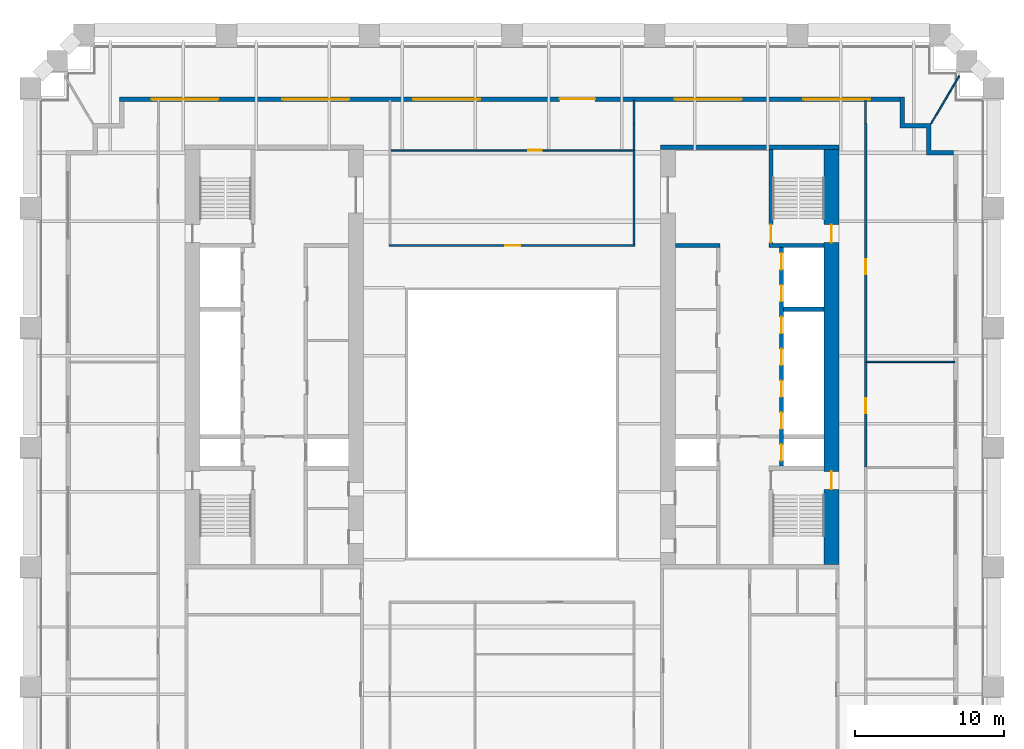
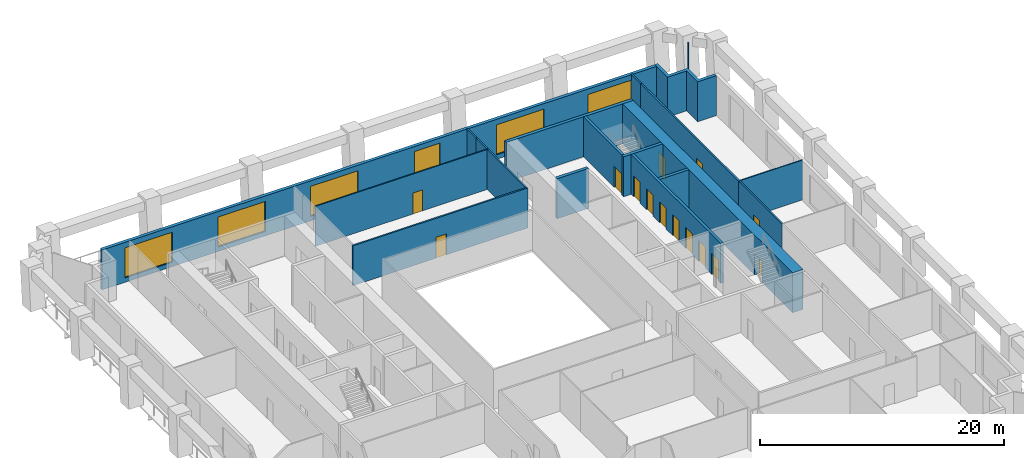
# One storey, part 7 of 10: 19 walls, 15 doors, 5 windows, 20 openings.
"""IFC4 building model written with IfcOpenShell, lengths in metres."""

import ifcopenshell
import ifcopenshell.guid

model = None  # the IFC model being written
_history = None  # IfcOwnerHistory: only IFC2X3 demands one
_inside = {}  # id of a spatial element -> (the spatial element, [elements in it])
_under = {}  # id of a project, library or spatial element -> (it, [spatial elements below it])
_declared = {}  # id of a project -> (the project, [libraries it declares])
_typed = {}  # id of a type object -> (the type object, [elements of that type])
_made_of = {}  # id of a material, layer set ... -> (it, [elements and type objects made of it])


def new_model(schema):
    """Start an empty IFC model of exactly this schema.

    Asked for "IFC4X3", IfcOpenShell would pick the latest addendum, in which some entities
    have other attributes; the version numbers below select the first issue.
    IFC2X3 requires an IfcOwnerHistory on every rooted entity: one is made here for all.
    """
    global model, _history
    if schema == "IFC4X3":
        model = ifcopenshell.file(schema_version=(4, 3, 0, 0))
    else:
        model = ifcopenshell.file(schema=schema)
    _inside.clear()
    _under.clear()
    _declared.clear()
    _typed.clear()
    _made_of.clear()
    _history = None
    if model.schema == "IFC2X3":
        org = make("IfcOrganization", Name="unknown")
        user = make(
            "IfcPersonAndOrganization",
            ThePerson=make("IfcPerson", FamilyName="unknown"),
            TheOrganization=org,
        )
        app = make(
            "IfcApplication",
            ApplicationDeveloper=org,
            Version="unknown",
            ApplicationFullName="unknown",
            ApplicationIdentifier="unknown",
        )
        _history = make(
            "IfcOwnerHistory",
            OwningUser=user,
            OwningApplication=app,
            ChangeAction="ADDED",
            CreationDate=0,
        )
    return model


def make(cls, **values):
    """One entity of the class cls with the attributes given. An attribute that is None is left unset."""
    return model.create_entity(
        cls, **{name: value for name, value in values.items() if value is not None}
    )


def rooted(cls, **values):
    """An entity with a GlobalId (a new one), such as an element, a storey or a relation."""
    return make(cls, GlobalId=ifcopenshell.guid.new(), OwnerHistory=_history, **values)


def si_unit(unit_type, name, prefix=None):
    """IfcSIUnit, for example si_unit("LENGTHUNIT", "METRE", prefix="MILLI")."""
    return make("IfcSIUnit", UnitType=unit_type, Prefix=prefix, Name=name)


def assignment(units):
    """IfcUnitAssignment: the units of a project."""
    return None if units is None else make("IfcUnitAssignment", Units=units)


def point(xyz):
    """IfcCartesianPoint."""
    return None if xyz is None else make("IfcCartesianPoint", Coordinates=xyz)


def direction(xyz):
    """IfcDirection."""
    return None if xyz is None else make("IfcDirection", DirectionRatios=xyz)


def frame(location, z_axis=None, x_axis=None):
    """IfcAxis2Placement3D, a coordinate frame: its origin and axes. An axis left out is left unset."""
    return make(
        "IfcAxis2Placement3D",
        Location=point(location),
        Axis=direction(z_axis),
        RefDirection=direction(x_axis),
    )


def frame_2d(location, x_axis=None):
    """IfcAxis2Placement2D, a coordinate frame in the plane: its origin and x axis."""
    return make(
        "IfcAxis2Placement2D", Location=point(location), RefDirection=direction(x_axis)
    )


def origin():
    """The frame at (0, 0, 0) with its axes left unset."""
    return frame((0.0, 0.0, 0.0))


def place(relative_to, where):
    """IfcLocalPlacement: puts the frame where relative to a parent placement (None: the world)."""
    return make(
        "IfcLocalPlacement", PlacementRelTo=relative_to, RelativePlacement=where
    )


def context(
    kind, dimensions, precision=None, world=None, true_north=None, identifier=None
):
    """IfcGeometricRepresentationContext, for example the 3D "Model" context."""
    return make(
        "IfcGeometricRepresentationContext",
        ContextIdentifier=identifier,
        ContextType=kind,
        CoordinateSpaceDimension=dimensions,
        Precision=precision,
        WorldCoordinateSystem=world,
        TrueNorth=true_north,
    )


def subcontext(parent, identifier, kind, view, scale=None):
    """IfcGeometricRepresentationSubContext, for example "Body" below "Model"."""
    return make(
        "IfcGeometricRepresentationSubContext",
        ContextIdentifier=identifier,
        ContextType=kind,
        ParentContext=parent,
        TargetScale=scale,
        TargetView=view,
    )


def project(units=None, contexts=None):
    """IfcProject with its units and contexts."""
    return rooted(
        "IfcProject",
        Name="project",
        RepresentationContexts=contexts,
        UnitsInContext=assignment(units),
    )


def spatial(cls, under=None, at=None, **own):
    """A site, building, storey or space (cls), placed at a placement, below another one or the project."""
    s = rooted(cls, ObjectPlacement=at, **own)
    if under is not None:
        _under.setdefault(under.id(), (under, []))[1].append(s)
    return s


def polyline(points):
    """IfcPolyline through the points."""
    return make("IfcPolyline", Points=[point(p) for p in points])


def profile(cls, at=None, kind="AREA", **sizes):
    """A parametric profile (cls). Its sizes go by their IFC names, for example OverallWidth=200.0."""
    return make(cls, ProfileType=kind, Position=at, **sizes)


def rectangle(**sizes):
    """IfcRectangleProfileDef."""
    return profile("IfcRectangleProfileDef", **sizes)


def outline(outer, holes=None, kind="AREA"):
    """IfcArbitraryClosedProfileDef: a profile drawn as a closed curve; with holes, ...WithVoids."""
    if holes is None:
        return make("IfcArbitraryClosedProfileDef", ProfileType=kind, OuterCurve=outer)
    return make(
        "IfcArbitraryProfileDefWithVoids",
        ProfileType=kind,
        OuterCurve=outer,
        InnerCurves=holes,
    )


def extrude(swept, where, along, depth):
    """IfcExtrudedAreaSolid: the profile swept, set in the frame where, extruded along a direction by depth."""
    return make(
        "IfcExtrudedAreaSolid",
        SweptArea=swept,
        Position=where,
        ExtrudedDirection=direction(along),
        Depth=depth,
    )


def shape(context_of_items, identifier, shape_type, items):
    """IfcShapeRepresentation: the items that make up one representation, for example the "Body"."""
    return make(
        "IfcShapeRepresentation",
        ContextOfItems=context_of_items,
        RepresentationIdentifier=identifier,
        RepresentationType=shape_type,
        Items=items,
    )


def material(Name=None, Category=None):
    """IfcMaterial."""
    return make("IfcMaterial", Name=Name, Category=Category)


def layer(
    of_material, thickness, ventilated=None, Name=None, Category=None, Priority=None
):
    """IfcMaterialLayer: one layer of a wall or slab, of a material (None: an air gap)."""
    return make(
        "IfcMaterialLayer",
        Material=of_material,
        LayerThickness=thickness,
        IsVentilated=ventilated,
        Name=Name,
        Category=Category,
        Priority=Priority,
    )


def layer_set(layers, Name=None):
    """IfcMaterialLayerSet."""
    return make("IfcMaterialLayerSet", MaterialLayers=layers, LayerSetName=Name)


def made_of(thing, what):
    """Note that an element or type object is made of a material, layer set ...; save() writes the relation."""
    if what is not None:
        _made_of.setdefault(what.id(), (what, []))[1].append(thing)
    return thing


def type_object(cls, material=None, **own):
    """A type object (cls), such as IfcWallType, which elements share."""
    return made_of(rooted(cls, **own), material)


def element(
    cls,
    number,
    at=None,
    inside=None,
    cuts=None,
    type_object=None,
    material=None,
    context=None,
    identifier="Body",
    shape_type=None,
    held_by="IfcProductDefinitionShape",
    body=None,
    shapes=None,
    **own,
):
    """One element of the class cls, such as IfcWall. Its Tag is "e" and its number.

    at: its placement. inside: the storey or other place that contains it. cuts: it is an
    opening in that element (IfcRelVoidsElement). A single representation is given by context,
    identifier, shape_type and body (its items); several are given by shapes. held_by: the class
    of the entity that holds the representations. save() writes the other relations.
    """
    e = rooted(cls, Tag="e%d" % number, ObjectPlacement=at, **own)
    if body is not None:
        shapes = [shape(context, identifier, shape_type, body)]
    if shapes is not None:
        e.Representation = make(held_by, Representations=shapes)
    if inside is not None:
        _inside.setdefault(inside.id(), (inside, []))[1].append(e)
    if cuts is not None:
        rooted(
            "IfcRelVoidsElement", RelatingBuildingElement=cuts, RelatedOpeningElement=e
        )
    if type_object is not None:
        _typed.setdefault(type_object.id(), (type_object, []))[1].append(e)
    return made_of(e, material)


def fill(opening, filler):
    """IfcRelFillsElement: the door or window that sits in an opening."""
    return rooted(
        "IfcRelFillsElement",
        RelatingOpeningElement=opening,
        RelatedBuildingElement=filler,
    )


def aggregate(whole, parts):
    """IfcRelAggregates: a whole, such as a stair, and the parts it consists of."""
    return rooted("IfcRelAggregates", RelatingObject=whole, RelatedObjects=parts)


def save(model, path):
    """Write the relations noted so far, then the file.

    IfcRelAggregates (storeys below a building ...), IfcRelContainedInSpatialStructure (elements
    in a storey), IfcRelDefinesByType, IfcRelAssociatesMaterial and IfcRelDeclares: one each for
    every whole, place, type object, material and project.
    """
    for whole, parts in _under.values():
        aggregate(whole, parts)
    for where, things in _inside.values():
        rooted(
            "IfcRelContainedInSpatialStructure",
            RelatedElements=things,
            RelatingStructure=where,
        )
    for kind, things in _typed.values():
        rooted("IfcRelDefinesByType", RelatedObjects=things, RelatingType=kind)
    for what, things in _made_of.values():
        rooted("IfcRelAssociatesMaterial", RelatedObjects=things, RelatingMaterial=what)
    for by, libraries in _declared.values():
        rooted("IfcRelDeclares", RelatingContext=by, RelatedDefinitions=libraries)
    model.write(path)


model = new_model("IFC4")

# Units and contexts
model_context = context("Model", 3, precision=1e-05, world=origin(), true_north=direction((0.0, 1.0)))
body_context = subcontext(model_context, "Body", "Model", "MODEL_VIEW")
ifc_project = project(units=[si_unit("LENGTHUNIT", "METRE"), si_unit("AREAUNIT", "SQUARE_METRE"), si_unit("VOLUMEUNIT", "CUBIC_METRE"), si_unit("PLANEANGLEUNIT", "RADIAN"), si_unit("MASSUNIT", "GRAM", prefix="KILO")], contexts=[model_context])

# Site, building, storey
site_placement = place(None, origin())
site = spatial("IfcSite", under=ifc_project, at=site_placement, CompositionType="ELEMENT")
building_placement = place(site_placement, origin())
building = spatial("IfcBuilding", under=site, at=building_placement, Name="Ogive Exchange Tower", CompositionType="ELEMENT")
storey_placement = place(building_placement, frame((0.0, 0.0, 52.199951171875)))
storey = spatial("IfcBuildingStorey", under=building, at=storey_placement, Name="L10", CompositionType="ELEMENT", Elevation=52.199951171875)

# Wall
ifc_material_1 = material(Name="Gypsum board partition")
ifc_layer_1 = layer(ifc_material_1, 0.300048828125)
ifc_layer_set_1 = layer_set([ifc_layer_1], Name="Core room partition 300 gypsum")
wall_type_1 = type_object("IfcWallType", Name="Core room partition 300 gypsum", PredefinedType="PARTITIONING", material=ifc_layer_set_1)
wall_1_placement = place(storey_placement, frame((11.0, 19.0, 0.0), z_axis=(0.0, 0.0, 1.0), x_axis=(1.0, 0.0, 0.0)))
element("IfcWall", 1, at=wall_1_placement, inside=storey, type_object=wall_type_1, Name="E row B room end wall 7", PredefinedType="PARTITIONING", context=body_context, shape_type="SweptSolid", body=[
    extrude(rectangle(XDim=3.0, YDim=0.300048828125, at=frame_2d((1.5, 0.0))), origin(), (0.0, 0.0, 1.0), 4.0),
])

# Wall, opening, door
ifc_material_2 = material(Name="Fire partition EI 60 150")
ifc_layer_2 = layer(ifc_material_2, 0.14990234375)
ifc_layer_set_2 = layer_set([ifc_layer_2], Name="Fire partition EI 60 150")
wall_type_2 = type_object("IfcWallType", Name="Fire partition EI 60 150", PredefinedType="PARTITIONING", material=ifc_layer_set_2)
wall_2_placement = place(storey_placement, frame((-8.27490234375, 19.0, 0.0), z_axis=(0.0, 0.0, 1.0), x_axis=(1.0, 0.0, 0.0)))
wall_2 = element("IfcWall", 2, at=wall_2_placement, inside=storey, type_object=wall_type_2, Name="L10-PWL-022", PredefinedType="PARTITIONING", context=body_context, shape_type="SweptSolid", body=[
    extrude(rectangle(XDim=16.5498046875, YDim=0.14990234375, at=frame_2d((8.27490234375, 0.0))), origin(), (0.0, 0.0, 1.0), 4.0),
])
opening_1_placement = place(wall_2_placement, frame((7.824951171875, 0.0, 0.0)))
opening_1 = element("IfcOpeningElement", 3, at=opening_1_placement, cuts=wall_2, Name="Opening L10-I01", PredefinedType="OPENING", context=body_context, shape_type="SweptSolid", body=[
    extrude(rectangle(XDim=1.0, YDim=2.10009765625, at=frame_2d((0.5, 1.050048828125))), frame((0.0, 0.0849609375, 0.0), z_axis=(0.0, -1.0, 0.0), x_axis=(1.0, 0.0, 0.0)), (0.0, 0.0, 1.0), 0.169921875),
])
ifc_material_3 = material(Name="Fire door FD 30S 1000 x 2100")
door_type_1 = type_object("IfcDoorType", Name="Fire door FD 30S 1000 x 2100", OperationType="NOTDEFINED", PredefinedType="DOOR", material=ifc_material_3)
door_1_placement = place(opening_1_placement, origin())
door_1 = element("IfcDoor", 4, at=door_1_placement, inside=storey, type_object=door_type_1, Name="L10-IDR-001", ObjectType="DT3", OperationType="SINGLE_SWING_RIGHT", OverallHeight=2.10009765625, OverallWidth=1.0, PredefinedType="DOOR", context=body_context, shape_type="SweptSolid", body=[
    extrude(rectangle(XDim=1.0, YDim=2.10009765625, at=frame_2d((0.5, 1.050048828125))), frame((0.0, 0.02490234375, 0.0), z_axis=(0.0, -1.0, 0.0), x_axis=(1.0, 0.0, 0.0)), (0.0, 0.0, 1.0), 0.050048828125),
])
fill(opening_1, door_1)

# Walls
wall_3_placement = place(storey_placement, frame((8.199951171875, 19.074951171875, 0.0), z_axis=(0.0, 0.0, 1.0), x_axis=(0.0, 1.0, 0.0)))
element("IfcWall", 5, at=wall_3_placement, inside=storey, type_object=wall_type_2, Name="L10-PWL-038", PredefinedType="PARTITIONING", context=body_context, shape_type="SweptSolid", body=[
    extrude(rectangle(XDim=6.275146484375, YDim=0.14990234375, at=frame_2d((3.1376953125, 0.0))), origin(), (0.0, 0.0, 1.0), 4.0),
])
wall_4_placement = place(storey_placement, frame((8.199951171875, 25.449951171875, 0.0), z_axis=(0.0, 0.0, 1.0), x_axis=(0.0, 1.0, 0.0)))
element("IfcWall", 6, at=wall_4_placement, inside=storey, type_object=wall_type_2, Name="L10-PWL-039", PredefinedType="PARTITIONING", context=body_context, shape_type="SweptSolid", body=[
    extrude(rectangle(XDim=1.75, YDim=0.14990234375, at=frame_2d((0.875, 0.0))), origin(), (0.0, 0.0, 1.0), 4.0),
])
for number, where, z_axis, x_axis, name in (
    (7, (8.2099609375, 27.199951171875, 0.0), (0.0, 0.0, 1.0), (0.0, 1.0, 0.0), "L10-PWL-040"),
    (8, (23.7900390625, 28.800048828125, 0.0), (0.0, 0.0, 1.0), (0.0, -1.0, 0.0), "L10-PWL-045"),
):
    element("IfcWall", number, at=place(storey_placement, frame(where, z_axis=z_axis, x_axis=x_axis)), inside=storey, type_object=wall_type_2, Name=name, PredefinedType="PARTITIONING", context=body_context, shape_type="SweptSolid", body=[
        extrude(rectangle(XDim=1.60009765625, YDim=0.14990234375, at=frame_2d((0.800048828125, 0.0))), origin(), (0.0, 0.0, 1.0), 4.0),
    ])

# Wall, opening, door
wall_5_placement = place(storey_placement, frame((23.800048828125, 11.1201171875, 0.0), z_axis=(0.0, 0.0, 1.0), x_axis=(0.0, -1.0, 0.0)))
wall_5 = element("IfcWall", 9, at=wall_5_placement, inside=storey, type_object=wall_type_2, Name="L10-PWL-050", PredefinedType="PARTITIONING", context=body_context, shape_type="SweptSolid", body=[
    extrude(rectangle(XDim=7.010009765625, YDim=0.14990234375, at=frame_2d((3.5048828125, 0.0))), origin(), (0.0, 0.0, 1.0), 4.0),
])
opening_2_placement = place(wall_5_placement, frame((2.409912109375, 0.0, 0.0)))
opening_2 = element("IfcOpeningElement", 10, at=opening_2_placement, cuts=wall_5, Name="Opening L10-I05", PredefinedType="OPENING", context=body_context, shape_type="SweptSolid", body=[
    extrude(rectangle(XDim=1.0, YDim=2.10009765625, at=frame_2d((0.5, 1.050048828125))), frame((0.0, 0.0849609375, 0.0), z_axis=(0.0, -1.0, 0.0), x_axis=(1.0, 0.0, 0.0)), (0.0, 0.0, 1.0), 0.169921875),
])
door_2_placement = place(opening_2_placement, origin())
door_2 = element("IfcDoor", 11, at=door_2_placement, inside=storey, type_object=door_type_1, Name="L10-IDR-005", ObjectType="DT3", OperationType="SINGLE_SWING_RIGHT", OverallHeight=2.10009765625, OverallWidth=1.0, PredefinedType="DOOR", context=body_context, shape_type="SweptSolid", body=[
    extrude(rectangle(XDim=1.0, YDim=2.10009765625, at=frame_2d((0.5, 1.050048828125))), frame((0.0, 0.02490234375, 0.0), z_axis=(0.0, -1.0, 0.0), x_axis=(1.0, 0.0, 0.0)), (0.0, 0.0, 1.0), 0.050048828125),
])
fill(opening_2, door_2)

wall_6_placement = place(storey_placement, frame((23.800048828125, 27.199951171875, 0.0), z_axis=(0.0, 0.0, 1.0), x_axis=(0.0, -1.0, 0.0)))
wall_6 = element("IfcWall", 12, at=wall_6_placement, inside=storey, type_object=wall_type_2, Name="L10-PWL-051", PredefinedType="PARTITIONING", context=body_context, shape_type="SweptSolid", body=[
    extrude(rectangle(XDim=16.079833984375, YDim=0.14990234375, at=frame_2d((8.0400390625, 0.0))), origin(), (0.0, 0.0, 1.0), 4.0),
])
opening_3_placement = place(wall_6_placement, frame((9.1298828125, 0.0, 0.0)))
opening_3 = element("IfcOpeningElement", 13, at=opening_3_placement, cuts=wall_6, Name="Opening L10-I02", PredefinedType="OPENING", context=body_context, shape_type="SweptSolid", body=[
    extrude(rectangle(XDim=1.0, YDim=2.10009765625, at=frame_2d((0.5, 1.050048828125))), frame((0.0, 0.0849609375, 0.0), z_axis=(0.0, -1.0, 0.0), x_axis=(1.0, 0.0, 0.0)), (0.0, 0.0, 1.0), 0.169921875),
])
door_3_placement = place(opening_3_placement, origin())
door_3 = element("IfcDoor", 14, at=door_3_placement, inside=storey, type_object=door_type_1, Name="L10-IDR-002", ObjectType="DT3", OperationType="SINGLE_SWING_RIGHT", OverallHeight=2.10009765625, OverallWidth=1.0, PredefinedType="DOOR", context=body_context, shape_type="SweptSolid", body=[
    extrude(rectangle(XDim=1.0, YDim=2.10009765625, at=frame_2d((0.5, 1.050048828125))), frame((0.0, 0.02490234375, 0.0), z_axis=(0.0, -1.0, 0.0), x_axis=(1.0, 0.0, 0.0)), (0.0, 0.0, 1.0), 0.050048828125),
])
fill(opening_3, door_3)

# Wall, openings, door, windows
ifc_material_4 = material(Name="Precast concrete C40/50", Category="concrete")
ifc_layer_3 = layer(ifc_material_4, 0.300048828125)
ifc_layer_set_3 = layer_set([ifc_layer_3], Name="Limestone-faced wall 300")
wall_type_3 = type_object("IfcWallType", Name="Limestone-faced wall 300", PredefinedType="STANDARD", material=ifc_layer_set_3)
wall_7_placement = place(storey_placement, frame((26.10009765625, 28.85009765625, 0.0), z_axis=(0.0, 0.0, 1.0), x_axis=(-1.0, 0.0, 0.0)))
wall_7 = element("IfcWall", 15, at=wall_7_placement, inside=storey, type_object=wall_type_3, Name="External wall N3", PredefinedType="STANDARD", context=body_context, shape_type="SweptSolid", body=[
    extrude(rectangle(XDim=52.5, YDim=0.300048828125, at=frame_2d((26.25, 0.0))), origin(), (0.0, 0.0, 1.0), 4.0),
])
opening_4_placement = place(wall_7_placement, frame((2.0, 0.0, 0.449951171875)))
opening_4 = element("IfcOpeningElement", 16, at=opening_4_placement, cuts=wall_7, Name="Opening W1A", PredefinedType="OPENING", context=body_context, shape_type="SweptSolid", body=[
    extrude(rectangle(XDim=4.5, YDim=3.0, at=frame_2d((2.25, 1.5))), frame((0.0, 0.159912109375, 0.0), z_axis=(0.0, -1.0, 0.0), x_axis=(1.0, 0.0, 0.0)), (0.0, 0.0, 1.0), 0.320068359375),
])
opening_5_placement = place(wall_7_placement, frame((10.64990234375, 0.0, 0.449951171875)))
opening_5 = element("IfcOpeningElement", 17, at=opening_5_placement, cuts=wall_7, Name="Opening W1A", PredefinedType="OPENING", context=body_context, shape_type="SweptSolid", body=[
    extrude(rectangle(XDim=4.5, YDim=3.0, at=frame_2d((2.25, 1.5))), frame((0.0, 0.159912109375, 0.0), z_axis=(0.0, -1.0, 0.0), x_axis=(1.0, 0.0, 0.0)), (0.0, 0.0, 1.0), 0.320068359375),
])
opening_6_placement = place(wall_7_placement, frame((20.5, 0.0, 0.0)))
opening_6 = element("IfcOpeningElement", 18, at=opening_6_placement, cuts=wall_7, Name="Opening D1", PredefinedType="OPENING", context=body_context, shape_type="SweptSolid", body=[
    extrude(rectangle(XDim=2.39990234375, YDim=3.5, at=frame_2d((1.199951171875, 1.75))), frame((0.0, 0.159912109375, 0.0), z_axis=(0.0, -1.0, 0.0), x_axis=(1.0, 0.0, 0.0)), (0.0, 0.0, 1.0), 0.320068359375),
])
opening_7_placement = place(wall_7_placement, frame((28.25, 0.0, 0.449951171875)))
opening_7 = element("IfcOpeningElement", 19, at=opening_7_placement, cuts=wall_7, Name="Opening W1A", PredefinedType="OPENING", context=body_context, shape_type="SweptSolid", body=[
    extrude(rectangle(XDim=4.5, YDim=3.0, at=frame_2d((2.25, 1.5))), frame((0.0, 0.159912109375, 0.0), z_axis=(0.0, -1.0, 0.0), x_axis=(1.0, 0.0, 0.0)), (0.0, 0.0, 1.0), 0.320068359375),
])
opening_8_placement = place(wall_7_placement, frame((37.050048828125, 0.0, 0.449951171875)))
opening_8 = element("IfcOpeningElement", 20, at=opening_8_placement, cuts=wall_7, Name="Opening W1A", PredefinedType="OPENING", context=body_context, shape_type="SweptSolid", body=[
    extrude(rectangle(XDim=4.5, YDim=3.0, at=frame_2d((2.25, 1.5))), frame((0.0, 0.159912109375, 0.0), z_axis=(0.0, -1.0, 0.0), x_axis=(1.0, 0.0, 0.0)), (0.0, 0.0, 1.0), 0.320068359375),
])
opening_9_placement = place(wall_7_placement, frame((45.85009765625, 0.0, 0.449951171875)))
opening_9 = element("IfcOpeningElement", 21, at=opening_9_placement, cuts=wall_7, Name="Opening W1A", PredefinedType="OPENING", context=body_context, shape_type="SweptSolid", body=[
    extrude(rectangle(XDim=4.5, YDim=3.0, at=frame_2d((2.25, 1.5))), frame((0.0, 0.159912109375, 0.0), z_axis=(0.0, -1.0, 0.0), x_axis=(1.0, 0.0, 0.0)), (0.0, 0.0, 1.0), 0.320068359375),
])
ifc_material_5 = material(Name="Clear glass in bronze frame", Category="glass")
door_type_2 = type_object("IfcDoorType", Name="Sliding loggia door 2400 x 3500", OperationType="DOUBLE_DOOR_SLIDING", PredefinedType="DOOR", material=ifc_material_5)
door_4_placement = place(opening_6_placement, origin())
door_4 = element("IfcDoor", 22, at=door_4_placement, inside=storey, type_object=door_type_2, Name="Loggia door N02", OperationType="DOUBLE_DOOR_SLIDING", OverallHeight=3.5, OverallWidth=2.39990234375, PredefinedType="DOOR", context=body_context, shape_type="SweptSolid", body=[
    extrude(rectangle(XDim=2.39990234375, YDim=3.5, at=frame_2d((1.199951171875, 1.75))), frame((0.0, 0.02490234375, 0.0), z_axis=(0.0, -1.0, 0.0), x_axis=(1.0, 0.0, 0.0)), (0.0, 0.0, 1.0), 0.050048828125),
])
fill(opening_6, door_4)
window_type = type_object("IfcWindowType", Name="Twin lancet window 4500 x 3000", PartitioningType="DOUBLE_PANEL_VERTICAL", PredefinedType="WINDOW", material=ifc_material_5)
window_1_placement = place(opening_4_placement, origin())
window_1 = element("IfcWindow", 23, at=window_1_placement, inside=storey, type_object=window_type, Name="Window N00", OverallHeight=3.0, OverallWidth=4.5, PartitioningType="DOUBLE_PANEL_VERTICAL", PredefinedType="WINDOW", context=body_context, shape_type="SweptSolid", body=[
    extrude(rectangle(XDim=4.5, YDim=3.0, at=frame_2d((2.25, 1.5))), frame((0.0, 0.030029296875, 0.0), z_axis=(0.0, -1.0, 0.0), x_axis=(1.0, 0.0, 0.0)), (0.0, 0.0, 1.0), 0.06005859375),
])
fill(opening_4, window_1)
window_2_placement = place(opening_5_placement, origin())
window_2 = element("IfcWindow", 24, at=window_2_placement, inside=storey, type_object=window_type, Name="Window N01", OverallHeight=3.0, OverallWidth=4.5, PartitioningType="DOUBLE_PANEL_VERTICAL", PredefinedType="WINDOW", context=body_context, shape_type="SweptSolid", body=[
    extrude(rectangle(XDim=4.5, YDim=3.0, at=frame_2d((2.25, 1.5))), frame((0.0, 0.030029296875, 0.0), z_axis=(0.0, -1.0, 0.0), x_axis=(1.0, 0.0, 0.0)), (0.0, 0.0, 1.0), 0.06005859375),
])
fill(opening_5, window_2)
window_3_placement = place(opening_7_placement, origin())
window_3 = element("IfcWindow", 25, at=window_3_placement, inside=storey, type_object=window_type, Name="Window N03", OverallHeight=3.0, OverallWidth=4.5, PartitioningType="DOUBLE_PANEL_VERTICAL", PredefinedType="WINDOW", context=body_context, shape_type="SweptSolid", body=[
    extrude(rectangle(XDim=4.5, YDim=3.0, at=frame_2d((2.25, 1.5))), frame((0.0, 0.030029296875, 0.0), z_axis=(0.0, -1.0, 0.0), x_axis=(1.0, 0.0, 0.0)), (0.0, 0.0, 1.0), 0.06005859375),
])
fill(opening_7, window_3)
window_4_placement = place(opening_8_placement, origin())
window_4 = element("IfcWindow", 26, at=window_4_placement, inside=storey, type_object=window_type, Name="Window N04", OverallHeight=3.0, OverallWidth=4.5, PartitioningType="DOUBLE_PANEL_VERTICAL", PredefinedType="WINDOW", context=body_context, shape_type="SweptSolid", body=[
    extrude(rectangle(XDim=4.5, YDim=3.0, at=frame_2d((2.25, 1.5))), frame((0.0, 0.030029296875, 0.0), z_axis=(0.0, -1.0, 0.0), x_axis=(1.0, 0.0, 0.0)), (0.0, 0.0, 1.0), 0.06005859375),
])
fill(opening_8, window_4)
window_5_placement = place(opening_9_placement, origin())
window_5 = element("IfcWindow", 27, at=window_5_placement, inside=storey, type_object=window_type, Name="Window N05", OverallHeight=3.0, OverallWidth=4.5, PartitioningType="DOUBLE_PANEL_VERTICAL", PredefinedType="WINDOW", context=body_context, shape_type="SweptSolid", body=[
    extrude(rectangle(XDim=4.5, YDim=3.0, at=frame_2d((2.25, 1.5))), frame((0.0, 0.030029296875, 0.0), z_axis=(0.0, -1.0, 0.0), x_axis=(1.0, 0.0, 0.0)), (0.0, 0.0, 1.0), 0.06005859375),
])
fill(opening_9, window_5)

# Walls
wall_8_placement = place(storey_placement, origin())
element("IfcWall", 28, at=wall_8_placement, inside=storey, type_object=wall_type_3, Name="External corner wall C2", PredefinedType="STANDARD", context=body_context, shape_type="SweptSolid", body=[
    extrude(outline(polyline([(27.89990234375, 26.89990234375), (26.10009765625, 26.89990234375), (26.10009765625, 29.0), (26.39990234375, 29.0), (26.39990234375, 27.199951171875), (28.199951171875, 27.199951171875), (28.199951171875, 25.39990234375), (29.699951171875, 25.39990234375), (29.699951171875, 25.10009765625), (27.89990234375, 25.10009765625), (27.89990234375, 26.89990234375)])), origin(), (0.0, 0.0, 1.0), 4.0),
])
ifc_material_6 = material(Name="Laminated safety glass in steel frame", Category="steel")
ifc_layer_4 = layer(ifc_material_6, 0.10009765625)
ifc_layer_set_4 = layer_set([ifc_layer_4], Name="Loggia end screen 100")
wall_type_4 = type_object("IfcWallType", Name="Loggia end screen 100", PredefinedType="STANDARD", material=ifc_layer_set_4)
wall_9_placement = place(storey_placement, frame((28.199951171875, 27.199951171875, -0.050048828125), z_axis=(0.0, 0.0, 1.0), x_axis=(0.50603666658, 0.862511966338, 0.0)))
element("IfcWall", 29, at=wall_9_placement, inside=storey, type_object=wall_type_4, Name="Loggia end screen C2", PredefinedType="STANDARD", context=body_context, shape_type="SweptSolid", body=[
    extrude(rectangle(XDim=3.733154296875, YDim=0.10009765625, at=frame_2d((1.86669921875, 0.0))), origin(), (0.0, 0.0, 1.0), 4.050048828125),
])

# Wall, opening, door
ifc_material_7 = material(Name="Partition 100 gypsum")
ifc_layer_5 = layer(ifc_material_7, 0.10009765625)
ifc_layer_set_5 = layer_set([ifc_layer_5], Name="Partition 100 gypsum")
wall_type_5 = type_object("IfcWallType", Name="Partition 100 gypsum", PredefinedType="PARTITIONING", material=ifc_layer_set_5)
wall_10_placement = place(storey_placement, frame((-8.125, 25.39990234375, 0.0), z_axis=(0.0, 0.0, 1.0), x_axis=(1.0, 0.0, 0.0)))
wall_10 = element("IfcWall", 30, at=wall_10_placement, inside=storey, type_object=wall_type_5, Name="L10-PWL-024", PredefinedType="PARTITIONING", context=body_context, shape_type="SweptSolid", body=[
    extrude(rectangle(XDim=16.39990234375, YDim=0.10009765625, at=frame_2d((8.199951171875, 0.0))), origin(), (0.0, 0.0, 1.0), 4.0),
])
opening_10_placement = place(wall_10_placement, frame((9.22509765625, 0.0, 0.0)))
opening_10 = element("IfcOpeningElement", 31, at=opening_10_placement, cuts=wall_10, Name="Opening L10-I03", PredefinedType="OPENING", context=body_context, shape_type="SweptSolid", body=[
    extrude(rectangle(XDim=0.89990234375, YDim=2.10009765625, at=frame_2d((0.449951171875, 1.050048828125))), frame((0.0, 0.06005859375, 0.0), z_axis=(0.0, -1.0, 0.0), x_axis=(1.0, 0.0, 0.0)), (0.0, 0.0, 1.0), 0.1201171875),
])
ifc_material_8 = material(Name="Door 900 x 2100")
door_type_3 = type_object("IfcDoorType", Name="Door 900 x 2100", OperationType="NOTDEFINED", PredefinedType="DOOR", material=ifc_material_8)
door_5_placement = place(opening_10_placement, origin())
door_5 = element("IfcDoor", 32, at=door_5_placement, inside=storey, type_object=door_type_3, Name="L10-IDR-003", ObjectType="DT1", OperationType="SINGLE_SWING_RIGHT", OverallHeight=2.10009765625, OverallWidth=0.89990234375, PredefinedType="DOOR", context=body_context, shape_type="SweptSolid", body=[
    extrude(rectangle(XDim=0.89990234375, YDim=2.10009765625, at=frame_2d((0.449951171875, 1.050048828125))), frame((0.0, 0.02490234375, 0.0), z_axis=(0.0, -1.0, 0.0), x_axis=(1.0, 0.0, 0.0)), (0.0, 0.0, 1.0), 0.050048828125),
])
fill(opening_10, door_5)

# Wall
wall_11_placement = place(storey_placement, frame((29.800048828125, 11.169921875, 0.0), z_axis=(0.0, 0.0, 1.0), x_axis=(-1.0, 0.0, 0.0)))
element("IfcWall", 33, at=wall_11_placement, inside=storey, type_object=wall_type_5, Name="L10-PWL-058", PredefinedType="PARTITIONING", context=body_context, shape_type="SweptSolid", body=[
    extrude(rectangle(XDim=5.925048828125, YDim=0.10009765625, at=frame_2d((2.96240234375, 0.0))), origin(), (0.0, 0.0, 1.0), 4.0),
])

# Wall, openings, doors
ifc_material_9 = material(Name="Concrete C70/85", Category="concrete")
ifc_layer_6 = layer(ifc_material_9, 1.0)
ifc_layer_set_6 = layer_set([ifc_layer_6], Name="RC core wall 1000 C70/85")
wall_type_6 = type_object("IfcWallType", Name="RC core wall 1000 C70/85", PredefinedType="SHEAR", material=ifc_layer_set_6)
wall_12_placement = place(storey_placement, frame((21.5, -2.449951171875, 0.0), z_axis=(0.0, 0.0, 1.0), x_axis=(0.0, 1.0, 0.0)))
wall_12 = element("IfcWall", 34, at=wall_12_placement, inside=storey, type_object=wall_type_6, Name="E outer wall", PredefinedType="SHEAR", context=body_context, shape_type="SweptSolid", body=[
    extrude(rectangle(XDim=27.89990234375, YDim=1.0, at=frame_2d((13.949951171875, 0.0))), origin(), (0.0, 0.0, 1.0), 4.0),
])
opening_11_placement = place(wall_12_placement, frame((5.050048828125, 0.0, 0.0)))
opening_11 = element("IfcOpeningElement", 35, at=opening_11_placement, cuts=wall_12, Name="Opening L10-C36", PredefinedType="OPENING", context=body_context, shape_type="SweptSolid", body=[
    extrude(rectangle(XDim=1.199951171875, YDim=2.10009765625, at=frame_2d((0.60009765625, 1.050048828125))), frame((0.0, 0.510009765625, 0.0), z_axis=(0.0, -1.0, 0.0), x_axis=(1.0, 0.0, 0.0)), (0.0, 0.0, 1.0), 1.02001953125),
])
opening_12_placement = place(wall_12_placement, frame((21.64990234375, 0.0, 0.0)))
opening_12 = element("IfcOpeningElement", 36, at=opening_12_placement, cuts=wall_12, Name="Opening L10-C38", PredefinedType="OPENING", context=body_context, shape_type="SweptSolid", body=[
    extrude(rectangle(XDim=1.199951171875, YDim=2.10009765625, at=frame_2d((0.60009765625, 1.050048828125))), frame((0.0, 0.510009765625, 0.0), z_axis=(0.0, -1.0, 0.0), x_axis=(1.0, 0.0, 0.0)), (0.0, 0.0, 1.0), 1.02001953125),
])
ifc_material_10 = material(Name="Steel fire door", Category="steel")
door_type_4 = type_object("IfcDoorType", Name="Stair door FD90 1200 x 2100", OperationType="NOTDEFINED", PredefinedType="DOOR", material=ifc_material_10)
door_6_placement = place(opening_11_placement, origin())
door_6 = element("IfcDoor", 37, at=door_6_placement, inside=storey, type_object=door_type_4, Name="Stair door", ObjectType="CD5", OperationType="SINGLE_SWING_LEFT", OverallHeight=2.10009765625, OverallWidth=1.199951171875, PredefinedType="DOOR", context=body_context, shape_type="SweptSolid", body=[
    extrude(rectangle(XDim=1.199951171875, YDim=2.10009765625, at=frame_2d((0.60009765625, 1.050048828125))), frame((0.0, 0.02490234375, 0.0), z_axis=(0.0, -1.0, 0.0), x_axis=(1.0, 0.0, 0.0)), (0.0, 0.0, 1.0), 0.050048828125),
])
fill(opening_11, door_6)
door_7_placement = place(opening_12_placement, origin())
door_7 = element("IfcDoor", 38, at=door_7_placement, inside=storey, type_object=door_type_4, Name="Stair door", ObjectType="CD5", OperationType="SINGLE_SWING_RIGHT", OverallHeight=2.10009765625, OverallWidth=1.199951171875, PredefinedType="DOOR", context=body_context, shape_type="SweptSolid", body=[
    extrude(rectangle(XDim=1.199951171875, YDim=2.10009765625, at=frame_2d((0.60009765625, 1.050048828125))), frame((0.0, 0.02490234375, 0.0), z_axis=(0.0, -1.0, 0.0), x_axis=(1.0, 0.0, 0.0)), (0.0, 0.0, 1.0), 0.050048828125),
])
fill(opening_12, door_7)

# Wall, opening, door
ifc_layer_7 = layer(ifc_material_9, 0.25)
ifc_layer_set_7 = layer_set([ifc_layer_7], Name="RC core wall 250 C70/85")
wall_type_7 = type_object("IfcWallType", Name="RC core wall 250 C70/85", PredefinedType="SHEAR", material=ifc_layer_set_7)
wall_13_placement = place(storey_placement, frame((17.425048828125, 19.14990234375, 0.0), z_axis=(0.0, 0.0, 1.0), x_axis=(0.0, 1.0, 0.0)))
wall_13 = element("IfcWall", 39, at=wall_13_placement, inside=storey, type_object=wall_type_7, Name="E stair N front wall", PredefinedType="SHEAR", context=body_context, shape_type="SweptSolid", body=[
    extrude(rectangle(XDim=6.300048828125, YDim=0.25, at=frame_2d((3.14990234375, 0.0))), origin(), (0.0, 0.0, 1.0), 4.0),
])
opening_13_placement = place(wall_13_placement, frame((0.050048828125, 0.0, 0.0)))
opening_13 = element("IfcOpeningElement", 40, at=opening_13_placement, cuts=wall_13, Name="Opening L10-C37", PredefinedType="OPENING", context=body_context, shape_type="SweptSolid", body=[
    extrude(rectangle(XDim=1.199951171875, YDim=2.10009765625, at=frame_2d((0.60009765625, 1.050048828125))), frame((0.0, 0.135009765625, 0.0), z_axis=(0.0, -1.0, 0.0), x_axis=(1.0, 0.0, 0.0)), (0.0, 0.0, 1.0), 0.27001953125),
])
door_8_placement = place(opening_13_placement, frame((1.199951171875, 0.0, 0.0), z_axis=(0.0, 0.0, 1.0), x_axis=(-1.0, 0.0, 0.0)))
door_8 = element("IfcDoor", 41, at=door_8_placement, inside=storey, type_object=door_type_4, Name="Stair door", ObjectType="CD5", OperationType="SINGLE_SWING_LEFT", OverallHeight=2.10009765625, OverallWidth=1.199951171875, PredefinedType="DOOR", context=body_context, shape_type="SweptSolid", body=[
    extrude(rectangle(XDim=1.199951171875, YDim=2.10009765625, at=frame_2d((0.60009765625, 1.050048828125))), frame((0.0, 0.02490234375, 0.0), z_axis=(0.0, -1.0, 0.0), x_axis=(1.0, 0.0, 0.0)), (0.0, 0.0, 1.0), 0.050048828125),
])
fill(opening_13, door_8)

# Wall, openings, doors
wall_14_placement = place(storey_placement, frame((18.125, 4.14990234375, 0.0), z_axis=(0.0, 0.0, 1.0), x_axis=(0.0, 1.0, 0.0)))
wall_14 = element("IfcWall", 42, at=wall_14_placement, inside=storey, type_object=wall_type_7, Name="E row A front wall", PredefinedType="SHEAR", context=body_context, shape_type="SweptSolid", body=[
    extrude(rectangle(XDim=14.7001953125, YDim=0.25, at=frame_2d((7.35009765625, 0.0))), origin(), (0.0, 0.0, 1.0), 4.0),
])
opening_14_placement = place(wall_14_placement, frame((0.371337890625, 0.0, 0.0)))
opening_14 = element("IfcOpeningElement", 43, at=opening_14_placement, cuts=wall_14, Name="Opening L10-C22", PredefinedType="OPENING", context=body_context, shape_type="SweptSolid", body=[
    extrude(rectangle(XDim=1.10009765625, YDim=2.10009765625, at=frame_2d((0.550048828125, 1.050048828125))), frame((0.0, 0.135009765625, 0.0), z_axis=(0.0, -1.0, 0.0), x_axis=(1.0, 0.0, 0.0)), (0.0, 0.0, 1.0), 0.27001953125),
])
opening_15_placement = place(wall_14_placement, frame((2.514404296875, 0.0, 0.0)))
opening_15 = element("IfcOpeningElement", 44, at=opening_15_placement, cuts=wall_14, Name="Opening L10-C23", PredefinedType="OPENING", context=body_context, shape_type="SweptSolid", body=[
    extrude(rectangle(XDim=1.10009765625, YDim=2.10009765625, at=frame_2d((0.550048828125, 1.050048828125))), frame((0.0, 0.135009765625, 0.0), z_axis=(0.0, -1.0, 0.0), x_axis=(1.0, 0.0, 0.0)), (0.0, 0.0, 1.0), 0.27001953125),
])
opening_16_placement = place(wall_14_placement, frame((4.656982421875, 0.0, 0.0)))
opening_16 = element("IfcOpeningElement", 45, at=opening_16_placement, cuts=wall_14, Name="Opening L10-C24", PredefinedType="OPENING", context=body_context, shape_type="SweptSolid", body=[
    extrude(rectangle(XDim=1.10009765625, YDim=2.10009765625, at=frame_2d((0.550048828125, 1.050048828125))), frame((0.0, 0.135009765625, 0.0), z_axis=(0.0, -1.0, 0.0), x_axis=(1.0, 0.0, 0.0)), (0.0, 0.0, 1.0), 0.27001953125),
])
opening_17_placement = place(wall_14_placement, frame((6.800048828125, 0.0, 0.0)))
opening_17 = element("IfcOpeningElement", 46, at=opening_17_placement, cuts=wall_14, Name="Opening L10-C25", PredefinedType="OPENING", context=body_context, shape_type="SweptSolid", body=[
    extrude(rectangle(XDim=1.10009765625, YDim=2.10009765625, at=frame_2d((0.550048828125, 1.050048828125))), frame((0.0, 0.135009765625, 0.0), z_axis=(0.0, -1.0, 0.0), x_axis=(1.0, 0.0, 0.0)), (0.0, 0.0, 1.0), 0.27001953125),
])
opening_18_placement = place(wall_14_placement, frame((8.94287109375, 0.0, 0.0)))
opening_18 = element("IfcOpeningElement", 47, at=opening_18_placement, cuts=wall_14, Name="Opening L10-C26", PredefinedType="OPENING", context=body_context, shape_type="SweptSolid", body=[
    extrude(rectangle(XDim=1.10009765625, YDim=2.10009765625, at=frame_2d((0.550048828125, 1.050048828125))), frame((0.0, 0.135009765625, 0.0), z_axis=(0.0, -1.0, 0.0), x_axis=(1.0, 0.0, 0.0)), (0.0, 0.0, 1.0), 0.27001953125),
])
opening_19_placement = place(wall_14_placement, frame((11.085693359375, 0.0, 0.0)))
opening_19 = element("IfcOpeningElement", 48, at=opening_19_placement, cuts=wall_14, Name="Opening L10-C27", PredefinedType="OPENING", context=body_context, shape_type="SweptSolid", body=[
    extrude(rectangle(XDim=1.10009765625, YDim=2.10009765625, at=frame_2d((0.550048828125, 1.050048828125))), frame((0.0, 0.135009765625, 0.0), z_axis=(0.0, -1.0, 0.0), x_axis=(1.0, 0.0, 0.0)), (0.0, 0.0, 1.0), 0.27001953125),
])
opening_20_placement = place(wall_14_placement, frame((13.228515625, 0.0, 0.0)))
opening_20 = element("IfcOpeningElement", 49, at=opening_20_placement, cuts=wall_14, Name="Opening L10-C28", PredefinedType="OPENING", context=body_context, shape_type="SweptSolid", body=[
    extrude(rectangle(XDim=1.10009765625, YDim=2.10009765625, at=frame_2d((0.550048828125, 1.050048828125))), frame((0.0, 0.135009765625, 0.0), z_axis=(0.0, -1.0, 0.0), x_axis=(1.0, 0.0, 0.0)), (0.0, 0.0, 1.0), 0.27001953125),
])
ifc_material_11 = material(Name="Stainless steel", Category="steel")
door_type_5 = type_object("IfcDoorType", Name="Lift landing door FD90 1100 x 2100", OperationType="SLIDING_TO_LEFT", PredefinedType="DOOR", material=ifc_material_11)
door_9_placement = place(opening_14_placement, origin())
door_9 = element("IfcDoor", 50, at=door_9_placement, inside=storey, type_object=door_type_5, Name="Lift landing door FF2", ObjectType="LD", OperationType="SLIDING_TO_LEFT", OverallHeight=2.10009765625, OverallWidth=1.10009765625, PredefinedType="DOOR", context=body_context, shape_type="SweptSolid", body=[
    extrude(rectangle(XDim=1.10009765625, YDim=2.10009765625, at=frame_2d((0.550048828125, 1.050048828125))), frame((0.0, 0.02490234375, 0.0), z_axis=(0.0, -1.0, 0.0), x_axis=(1.0, 0.0, 0.0)), (0.0, 0.0, 1.0), 0.050048828125),
])
fill(opening_14, door_9)
door_10_placement = place(opening_15_placement, origin())
door_10 = element("IfcDoor", 51, at=door_10_placement, inside=storey, type_object=door_type_5, Name="Lift landing door E-L1", ObjectType="LD", OperationType="SLIDING_TO_LEFT", OverallHeight=2.10009765625, OverallWidth=1.10009765625, PredefinedType="DOOR", context=body_context, shape_type="SweptSolid", body=[
    extrude(rectangle(XDim=1.10009765625, YDim=2.10009765625, at=frame_2d((0.550048828125, 1.050048828125))), frame((0.0, 0.02490234375, 0.0), z_axis=(0.0, -1.0, 0.0), x_axis=(1.0, 0.0, 0.0)), (0.0, 0.0, 1.0), 0.050048828125),
])
fill(opening_15, door_10)
door_11_placement = place(opening_16_placement, origin())
door_11 = element("IfcDoor", 52, at=door_11_placement, inside=storey, type_object=door_type_5, Name="Lift landing door E-L2", ObjectType="LD", OperationType="SLIDING_TO_LEFT", OverallHeight=2.10009765625, OverallWidth=1.10009765625, PredefinedType="DOOR", context=body_context, shape_type="SweptSolid", body=[
    extrude(rectangle(XDim=1.10009765625, YDim=2.10009765625, at=frame_2d((0.550048828125, 1.050048828125))), frame((0.0, 0.02490234375, 0.0), z_axis=(0.0, -1.0, 0.0), x_axis=(1.0, 0.0, 0.0)), (0.0, 0.0, 1.0), 0.050048828125),
])
fill(opening_16, door_11)
door_12_placement = place(opening_17_placement, origin())
door_12 = element("IfcDoor", 53, at=door_12_placement, inside=storey, type_object=door_type_5, Name="Lift landing door E-L3", ObjectType="LD", OperationType="SLIDING_TO_LEFT", OverallHeight=2.10009765625, OverallWidth=1.10009765625, PredefinedType="DOOR", context=body_context, shape_type="SweptSolid", body=[
    extrude(rectangle(XDim=1.10009765625, YDim=2.10009765625, at=frame_2d((0.550048828125, 1.050048828125))), frame((0.0, 0.02490234375, 0.0), z_axis=(0.0, -1.0, 0.0), x_axis=(1.0, 0.0, 0.0)), (0.0, 0.0, 1.0), 0.050048828125),
])
fill(opening_17, door_12)
door_13_placement = place(opening_18_placement, origin())
door_13 = element("IfcDoor", 54, at=door_13_placement, inside=storey, type_object=door_type_5, Name="Lift landing door E-L4", ObjectType="LD", OperationType="SLIDING_TO_LEFT", OverallHeight=2.10009765625, OverallWidth=1.10009765625, PredefinedType="DOOR", context=body_context, shape_type="SweptSolid", body=[
    extrude(rectangle(XDim=1.10009765625, YDim=2.10009765625, at=frame_2d((0.550048828125, 1.050048828125))), frame((0.0, 0.02490234375, 0.0), z_axis=(0.0, -1.0, 0.0), x_axis=(1.0, 0.0, 0.0)), (0.0, 0.0, 1.0), 0.050048828125),
])
fill(opening_18, door_13)
door_14_placement = place(opening_19_placement, origin())
door_14 = element("IfcDoor", 55, at=door_14_placement, inside=storey, type_object=door_type_5, Name="Lift landing door E-SH1", ObjectType="LD", OperationType="SLIDING_TO_LEFT", OverallHeight=2.10009765625, OverallWidth=1.10009765625, PredefinedType="DOOR", context=body_context, shape_type="SweptSolid", body=[
    extrude(rectangle(XDim=1.10009765625, YDim=2.10009765625, at=frame_2d((0.550048828125, 1.050048828125))), frame((0.0, 0.02490234375, 0.0), z_axis=(0.0, -1.0, 0.0), x_axis=(1.0, 0.0, 0.0)), (0.0, 0.0, 1.0), 0.050048828125),
])
fill(opening_19, door_14)
door_15_placement = place(opening_20_placement, origin())
door_15 = element("IfcDoor", 56, at=door_15_placement, inside=storey, type_object=door_type_5, Name="Lift landing door E-SH2", ObjectType="LD", OperationType="SLIDING_TO_LEFT", OverallHeight=2.10009765625, OverallWidth=1.10009765625, PredefinedType="DOOR", context=body_context, shape_type="SweptSolid", body=[
    extrude(rectangle(XDim=1.10009765625, YDim=2.10009765625, at=frame_2d((0.550048828125, 1.050048828125))), frame((0.0, 0.02490234375, 0.0), z_axis=(0.0, -1.0, 0.0), x_axis=(1.0, 0.0, 0.0)), (0.0, 0.0, 1.0), 0.050048828125),
])
fill(opening_20, door_15)

# Walls
ifc_layer_8 = layer(ifc_material_9, 0.300048828125)
ifc_layer_set_8 = layer_set([ifc_layer_8], Name="RC core wall 300 C70/85")
wall_type_8 = type_object("IfcWallType", Name="RC core wall 300 C70/85", PredefinedType="SHEAR", material=ifc_layer_set_8)
wall_15_placement = place(storey_placement, frame((10.0, 25.60009765625, 0.0), z_axis=(0.0, 0.0, 1.0), x_axis=(1.0, 0.0, 0.0)))
element("IfcWall", 57, at=wall_15_placement, inside=storey, type_object=wall_type_8, Name="E north end wall", PredefinedType="SHEAR", context=body_context, shape_type="SweptSolid", body=[
    extrude(rectangle(XDim=12.0, YDim=0.300048828125, at=frame_2d((6.0, 0.0))), origin(), (0.0, 0.0, 1.0), 4.0),
])
wall_16_placement = place(storey_placement, frame((17.300048828125, 19.0, 0.0), z_axis=(0.0, 0.0, 1.0), x_axis=(1.0, 0.0, 0.0)))
element("IfcWall", 58, at=wall_16_placement, inside=storey, type_object=wall_type_8, Name="E stair N south wall", PredefinedType="SHEAR", context=body_context, shape_type="SweptSolid", body=[
    extrude(rectangle(XDim=3.699951171875, YDim=0.300048828125, at=frame_2d((1.85009765625, 0.0))), origin(), (0.0, 0.0, 1.0), 4.0),
])
wall_17_placement = place(storey_placement, frame((18.25, 14.71435546875, 0.0), z_axis=(0.0, 0.0, 1.0), x_axis=(1.0, 0.0, 0.0)))
element("IfcWall", 59, at=wall_17_placement, inside=storey, type_object=wall_type_8, Name="E row A divider 5", PredefinedType="SHEAR", context=body_context, shape_type="SweptSolid", body=[
    extrude(rectangle(XDim=2.75, YDim=0.300048828125, at=frame_2d((1.375, 0.0))), origin(), (0.0, 0.0, 1.0), 4.0),
])

save(model, "model.ifc")
